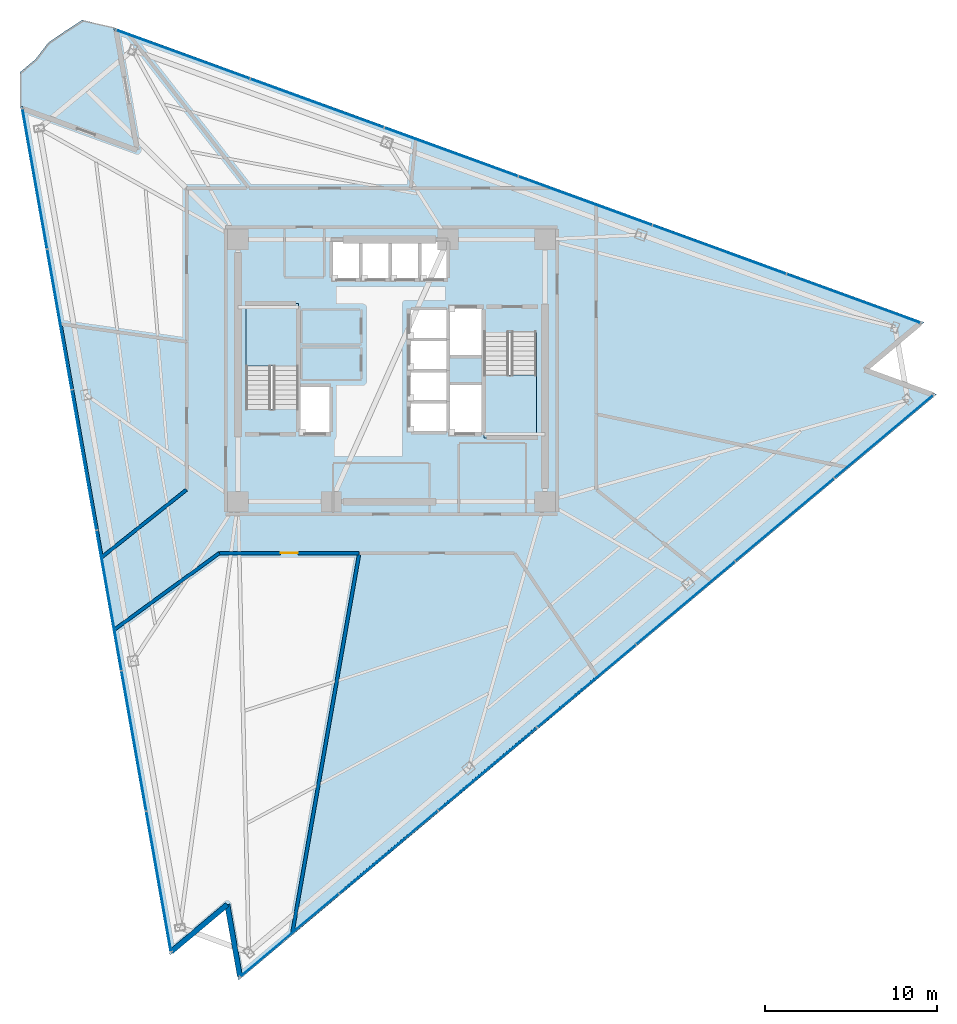
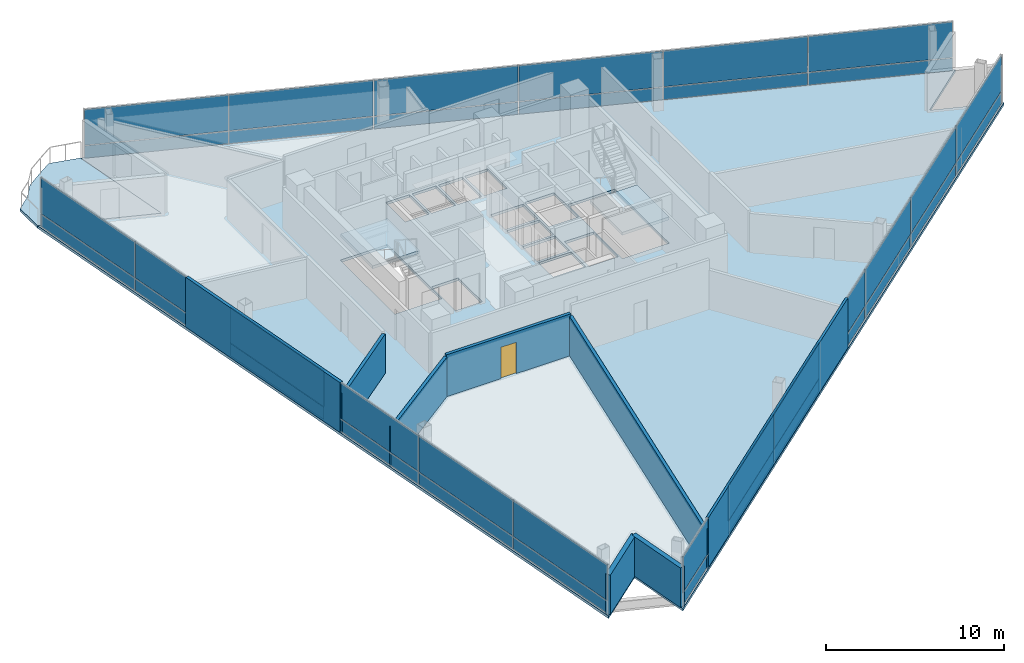
# One storey, part 9 of 16: 38 plates, 8 walls, 4 slabs, 1 door, 1 opening, 5 elements without a shape of their own.
"""IFC4 building model written with IfcOpenShell, lengths in metres."""

import ifcopenshell
import ifcopenshell.guid

model = None  # the IFC model being written
_history = None  # IfcOwnerHistory: only IFC2X3 demands one
_inside = {}  # id of a spatial element -> (the spatial element, [elements in it])
_under = {}  # id of a project, library or spatial element -> (it, [spatial elements below it])
_declared = {}  # id of a project -> (the project, [libraries it declares])
_typed = {}  # id of a type object -> (the type object, [elements of that type])
_made_of = {}  # id of a material, layer set ... -> (it, [elements and type objects made of it])


def new_model(schema):
    """Start an empty IFC model of exactly this schema.

    Asked for "IFC4X3", IfcOpenShell would pick the latest addendum, in which some entities
    have other attributes; the version numbers below select the first issue.
    IFC2X3 requires an IfcOwnerHistory on every rooted entity: one is made here for all.
    """
    global model, _history
    if schema == "IFC4X3":
        model = ifcopenshell.file(schema_version=(4, 3, 0, 0))
    else:
        model = ifcopenshell.file(schema=schema)
    _inside.clear()
    _under.clear()
    _declared.clear()
    _typed.clear()
    _made_of.clear()
    _history = None
    if model.schema == "IFC2X3":
        org = make("IfcOrganization", Name="unknown")
        user = make(
            "IfcPersonAndOrganization",
            ThePerson=make("IfcPerson", FamilyName="unknown"),
            TheOrganization=org,
        )
        app = make(
            "IfcApplication",
            ApplicationDeveloper=org,
            Version="unknown",
            ApplicationFullName="unknown",
            ApplicationIdentifier="unknown",
        )
        _history = make(
            "IfcOwnerHistory",
            OwningUser=user,
            OwningApplication=app,
            ChangeAction="ADDED",
            CreationDate=0,
        )
    return model


def make(cls, **values):
    """One entity of the class cls with the attributes given. An attribute that is None is left unset."""
    return model.create_entity(
        cls, **{name: value for name, value in values.items() if value is not None}
    )


def rooted(cls, **values):
    """An entity with a GlobalId (a new one), such as an element, a storey or a relation."""
    return make(cls, GlobalId=ifcopenshell.guid.new(), OwnerHistory=_history, **values)


def si_unit(unit_type, name, prefix=None):
    """IfcSIUnit, for example si_unit("LENGTHUNIT", "METRE", prefix="MILLI")."""
    return make("IfcSIUnit", UnitType=unit_type, Prefix=prefix, Name=name)


def assignment(units):
    """IfcUnitAssignment: the units of a project."""
    return None if units is None else make("IfcUnitAssignment", Units=units)


def point(xyz):
    """IfcCartesianPoint."""
    return None if xyz is None else make("IfcCartesianPoint", Coordinates=xyz)


def direction(xyz):
    """IfcDirection."""
    return None if xyz is None else make("IfcDirection", DirectionRatios=xyz)


def frame(location, z_axis=None, x_axis=None):
    """IfcAxis2Placement3D, a coordinate frame: its origin and axes. An axis left out is left unset."""
    return make(
        "IfcAxis2Placement3D",
        Location=point(location),
        Axis=direction(z_axis),
        RefDirection=direction(x_axis),
    )


def frame_2d(location, x_axis=None):
    """IfcAxis2Placement2D, a coordinate frame in the plane: its origin and x axis."""
    return make(
        "IfcAxis2Placement2D", Location=point(location), RefDirection=direction(x_axis)
    )


def origin():
    """The frame at (0, 0, 0) with its axes left unset."""
    return frame((0.0, 0.0, 0.0))


def origin_2d():
    """The frame at (0, 0) in the plane with its x axis left unset."""
    return frame_2d((0.0, 0.0))


def place(relative_to, where):
    """IfcLocalPlacement: puts the frame where relative to a parent placement (None: the world)."""
    return make(
        "IfcLocalPlacement", PlacementRelTo=relative_to, RelativePlacement=where
    )


def context(
    kind, dimensions, precision=None, world=None, true_north=None, identifier=None
):
    """IfcGeometricRepresentationContext, for example the 3D "Model" context."""
    return make(
        "IfcGeometricRepresentationContext",
        ContextIdentifier=identifier,
        ContextType=kind,
        CoordinateSpaceDimension=dimensions,
        Precision=precision,
        WorldCoordinateSystem=world,
        TrueNorth=true_north,
    )


def subcontext(parent, identifier, kind, view, scale=None):
    """IfcGeometricRepresentationSubContext, for example "Body" below "Model"."""
    return make(
        "IfcGeometricRepresentationSubContext",
        ContextIdentifier=identifier,
        ContextType=kind,
        ParentContext=parent,
        TargetScale=scale,
        TargetView=view,
    )


def project(units=None, contexts=None):
    """IfcProject with its units and contexts."""
    return rooted(
        "IfcProject",
        Name="project",
        RepresentationContexts=contexts,
        UnitsInContext=assignment(units),
    )


def spatial(cls, under=None, at=None, **own):
    """A site, building, storey or space (cls), placed at a placement, below another one or the project."""
    s = rooted(cls, ObjectPlacement=at, **own)
    if under is not None:
        _under.setdefault(under.id(), (under, []))[1].append(s)
    return s


def polyline(points):
    """IfcPolyline through the points."""
    return make("IfcPolyline", Points=[point(p) for p in points])


def profile(cls, at=None, kind="AREA", **sizes):
    """A parametric profile (cls). Its sizes go by their IFC names, for example OverallWidth=200.0."""
    return make(cls, ProfileType=kind, Position=at, **sizes)


def rectangle(**sizes):
    """IfcRectangleProfileDef."""
    return profile("IfcRectangleProfileDef", **sizes)


def outline(outer, holes=None, kind="AREA"):
    """IfcArbitraryClosedProfileDef: a profile drawn as a closed curve; with holes, ...WithVoids."""
    if holes is None:
        return make("IfcArbitraryClosedProfileDef", ProfileType=kind, OuterCurve=outer)
    return make(
        "IfcArbitraryProfileDefWithVoids",
        ProfileType=kind,
        OuterCurve=outer,
        InnerCurves=holes,
    )


def extrude(swept, where, along, depth):
    """IfcExtrudedAreaSolid: the profile swept, set in the frame where, extruded along a direction by depth."""
    return make(
        "IfcExtrudedAreaSolid",
        SweptArea=swept,
        Position=where,
        ExtrudedDirection=direction(along),
        Depth=depth,
    )


def shape(context_of_items, identifier, shape_type, items):
    """IfcShapeRepresentation: the items that make up one representation, for example the "Body"."""
    return make(
        "IfcShapeRepresentation",
        ContextOfItems=context_of_items,
        RepresentationIdentifier=identifier,
        RepresentationType=shape_type,
        Items=items,
    )


def material(Name=None, Category=None):
    """IfcMaterial."""
    return make("IfcMaterial", Name=Name, Category=Category)


def layer(
    of_material, thickness, ventilated=None, Name=None, Category=None, Priority=None
):
    """IfcMaterialLayer: one layer of a wall or slab, of a material (None: an air gap)."""
    return make(
        "IfcMaterialLayer",
        Material=of_material,
        LayerThickness=thickness,
        IsVentilated=ventilated,
        Name=Name,
        Category=Category,
        Priority=Priority,
    )


def layer_set(layers, Name=None):
    """IfcMaterialLayerSet."""
    return make("IfcMaterialLayerSet", MaterialLayers=layers, LayerSetName=Name)


def made_of(thing, what):
    """Note that an element or type object is made of a material, layer set ...; save() writes the relation."""
    if what is not None:
        _made_of.setdefault(what.id(), (what, []))[1].append(thing)
    return thing


def type_object(cls, material=None, **own):
    """A type object (cls), such as IfcWallType, which elements share."""
    return made_of(rooted(cls, **own), material)


def element(
    cls,
    number,
    at=None,
    inside=None,
    cuts=None,
    type_object=None,
    material=None,
    context=None,
    identifier="Body",
    shape_type=None,
    held_by="IfcProductDefinitionShape",
    body=None,
    shapes=None,
    **own,
):
    """One element of the class cls, such as IfcWall. Its Tag is "e" and its number.

    at: its placement. inside: the storey or other place that contains it. cuts: it is an
    opening in that element (IfcRelVoidsElement). A single representation is given by context,
    identifier, shape_type and body (its items); several are given by shapes. held_by: the class
    of the entity that holds the representations. save() writes the other relations.
    """
    e = rooted(cls, Tag="e%d" % number, ObjectPlacement=at, **own)
    if body is not None:
        shapes = [shape(context, identifier, shape_type, body)]
    if shapes is not None:
        e.Representation = make(held_by, Representations=shapes)
    if inside is not None:
        _inside.setdefault(inside.id(), (inside, []))[1].append(e)
    if cuts is not None:
        rooted(
            "IfcRelVoidsElement", RelatingBuildingElement=cuts, RelatedOpeningElement=e
        )
    if type_object is not None:
        _typed.setdefault(type_object.id(), (type_object, []))[1].append(e)
    return made_of(e, material)


def fill(opening, filler):
    """IfcRelFillsElement: the door or window that sits in an opening."""
    return rooted(
        "IfcRelFillsElement",
        RelatingOpeningElement=opening,
        RelatedBuildingElement=filler,
    )


def aggregate(whole, parts):
    """IfcRelAggregates: a whole, such as a stair, and the parts it consists of."""
    return rooted("IfcRelAggregates", RelatingObject=whole, RelatedObjects=parts)


def save(model, path):
    """Write the relations noted so far, then the file.

    IfcRelAggregates (storeys below a building ...), IfcRelContainedInSpatialStructure (elements
    in a storey), IfcRelDefinesByType, IfcRelAssociatesMaterial and IfcRelDeclares: one each for
    every whole, place, type object, material and project.
    """
    for whole, parts in _under.values():
        aggregate(whole, parts)
    for where, things in _inside.values():
        rooted(
            "IfcRelContainedInSpatialStructure",
            RelatedElements=things,
            RelatingStructure=where,
        )
    for kind, things in _typed.values():
        rooted("IfcRelDefinesByType", RelatedObjects=things, RelatingType=kind)
    for what, things in _made_of.values():
        rooted("IfcRelAssociatesMaterial", RelatedObjects=things, RelatingMaterial=what)
    for by, libraries in _declared.values():
        rooted("IfcRelDeclares", RelatingContext=by, RelatedDefinitions=libraries)
    model.write(path)


model = new_model("IFC4")

# Units and contexts
model_context = context("Model", 3, precision=1e-05, world=origin(), true_north=direction((0.0, 1.0)))
body_context = subcontext(model_context, "Body", "Model", "MODEL_VIEW")
ifc_project = project(units=[si_unit("LENGTHUNIT", "METRE"), si_unit("AREAUNIT", "SQUARE_METRE"), si_unit("VOLUMEUNIT", "CUBIC_METRE"), si_unit("PLANEANGLEUNIT", "RADIAN"), si_unit("MASSUNIT", "GRAM", prefix="KILO")], contexts=[model_context])

# Site, building, storey
site_placement = place(None, origin())
site = spatial("IfcSite", under=ifc_project, at=site_placement, CompositionType="ELEMENT")
building_placement = place(site_placement, origin())
building = spatial("IfcBuilding", under=site, at=building_placement, Name="Tharavind Bronze Gate", CompositionType="ELEMENT")
storey_placement = place(building_placement, frame((0.0, 0.0, 170.5)))
storey = spatial("IfcBuildingStorey", under=building, at=storey_placement, Name="L43", CompositionType="ELEMENT", Elevation=170.5)

# Curtain wall, plates
ifc_material_1 = material(Name="Anodised Bronze Aluminium", Category="aluminium")
ifc_layer_1 = layer(ifc_material_1, 0.219970703125)
ifc_layer_set_1 = layer_set([ifc_layer_1], Name="Anodised Bronze Aluminium")
curtain_wall_type = type_object("IfcCurtainWallType", Name="UNITISED CURTAIN WALL MID OFFICE", PredefinedType="USERDEFINED", material=ifc_layer_set_1)
curtain_wall_1_placement = place(storey_placement, origin())
curtain_wall_1 = element("IfcCurtainWall", 1, at=curtain_wall_1_placement, inside=storey, type_object=curtain_wall_type, Name="L43 unitised curtain wall mid office CW-L43-S1", ObjectType="UNITISED CURTAIN WALL", PredefinedType="USERDEFINED")
ifc_material_2 = material(Name="Patinated Bronze Alloy Sheet", Category="bronze")
ifc_layer_2 = layer(ifc_material_2, 0.01611328125)
ifc_layer_set_2 = layer_set([ifc_layer_2], Name="Patinated Bronze Alloy Sheet")
plate_type_1 = type_object("IfcPlateType", Name="BRONZE SPANDREL CLADDING PANEL 16", PredefinedType="CURTAIN_PANEL", material=ifc_layer_set_2)
plate_1_placement = place(storey_placement, frame((-20.678466796875, 11.118408203125, 0.0263671875), z_axis=(0.0, 0.0, 1.0), x_axis=(0.173648177667, -0.984807753012, 0.0)))
plate_1 = element("IfcPlate", 2, at=plate_1_placement, type_object=plate_type_1, Name="CW-L43-S1 bronze spandrel panel 1", PredefinedType="CURTAIN_PANEL", context=body_context, shape_type="SweptSolid", body=[
    extrude(rectangle(XDim=8.220458984375, YDim=0.01611328125, at=origin_2d()), origin(), (0.0, 0.0, 1.0), 0.846923828125),
])
plate_2_placement = place(storey_placement, frame((-19.24169921875, 2.970703125, 0.0263671875), z_axis=(0.0, 0.0, 1.0), x_axis=(0.173648177667, -0.984807753012, 0.0)))
plate_2 = element("IfcPlate", 3, at=plate_2_placement, type_object=plate_type_1, Name="CW-L43-S1 bronze spandrel panel 2", PredefinedType="CURTAIN_PANEL", context=body_context, shape_type="SweptSolid", body=[
    extrude(rectangle(XDim=8.220458984375, YDim=0.01611328125, at=origin_2d()), origin(), (0.0, 0.0, 1.0), 0.846923828125),
])
plate_3_placement = place(storey_placement, frame((-17.80517578125, -5.177001953125, 0.0263671875), z_axis=(0.0, 0.0, 1.0), x_axis=(0.173648177667, -0.984807753012, 0.0)))
plate_3 = element("IfcPlate", 4, at=plate_3_placement, type_object=plate_type_1, Name="CW-L43-S1 bronze spandrel panel 3", PredefinedType="CURTAIN_PANEL", context=body_context, shape_type="SweptSolid", body=[
    extrude(rectangle(XDim=8.220458984375, YDim=0.01611328125, at=origin_2d()), origin(), (0.0, 0.0, 1.0), 0.846923828125),
])
plate_4_placement = place(storey_placement, frame((-16.368408203125, -13.32470703125, 0.0263671875), z_axis=(0.0, 0.0, 1.0), x_axis=(0.173648177667, -0.984807753012, 0.0)))
plate_4 = element("IfcPlate", 5, at=plate_4_placement, type_object=plate_type_1, Name="CW-L43-S1 bronze spandrel panel 4", PredefinedType="CURTAIN_PANEL", context=body_context, shape_type="SweptSolid", body=[
    extrude(rectangle(XDim=8.220458984375, YDim=0.01611328125, at=origin_2d()), origin(), (0.0, 0.0, 1.0), 0.846923828125),
])
plate_5_placement = place(storey_placement, frame((-14.931884765625, -21.472412109375, 0.0263671875), z_axis=(0.0, 0.0, 1.0), x_axis=(0.173648177667, -0.984807753012, 0.0)))
plate_5 = element("IfcPlate", 6, at=plate_5_placement, type_object=plate_type_1, Name="CW-L43-S1 bronze spandrel panel 5", PredefinedType="CURTAIN_PANEL", context=body_context, shape_type="SweptSolid", body=[
    extrude(rectangle(XDim=8.220458984375, YDim=0.01611328125, at=origin_2d()), origin(), (0.0, 0.0, 1.0), 0.846923828125),
])
plate_6_placement = place(storey_placement, frame((-13.4951171875, -29.6201171875, 0.0263671875), z_axis=(0.0, 0.0, 1.0), x_axis=(0.173648177667, -0.984807753012, 0.0)))
plate_6 = element("IfcPlate", 7, at=plate_6_placement, type_object=plate_type_1, Name="CW-L43-S1 bronze spandrel panel 6", PredefinedType="CURTAIN_PANEL", context=body_context, shape_type="SweptSolid", body=[
    extrude(rectangle(XDim=8.220458984375, YDim=0.01611328125, at=origin_2d()), origin(), (0.0, 0.0, 1.0), 0.846923828125),
])

curtain_wall_2_placement = place(storey_placement, origin())
curtain_wall_2 = element("IfcCurtainWall", 8, at=curtain_wall_2_placement, inside=storey, type_object=curtain_wall_type, Name="L43 unitised curtain wall mid office CW-L43-S2", ObjectType="UNITISED CURTAIN WALL", PredefinedType="USERDEFINED")
plate_7_placement = place(storey_placement, frame((-5.913818359375, -32.737548828125, 0.0263671875), z_axis=(0.0, 0.0, 1.0), x_axis=(0.766043321242, 0.642788946685, 0.0)))
plate_7 = element("IfcPlate", 9, at=plate_7_placement, type_object=plate_type_1, Name="CW-L43-S2 bronze spandrel panel 1", PredefinedType="CURTAIN_PANEL", context=body_context, shape_type="SweptSolid", body=[
    extrude(rectangle(XDim=7.443115234375, YDim=0.01611328125, at=origin_2d()), origin(), (0.0, 0.0, 1.0), 0.846923828125),
])
plate_8_placement = place(storey_placement, frame((-0.171630859375, -27.919189453125, 0.0263671875), z_axis=(0.0, 0.0, 1.0), x_axis=(0.766043321242, 0.642788946685, 0.0)))
plate_8 = element("IfcPlate", 10, at=plate_8_placement, type_object=plate_type_1, Name="CW-L43-S2 bronze spandrel panel 2", PredefinedType="CURTAIN_PANEL", context=body_context, shape_type="SweptSolid", body=[
    extrude(rectangle(XDim=7.443115234375, YDim=0.01611328125, at=origin_2d()), origin(), (0.0, 0.0, 1.0), 0.846923828125),
])
plate_9_placement = place(storey_placement, frame((5.57080078125, -23.100830078125, 0.0263671875), z_axis=(0.0, 0.0, 1.0), x_axis=(0.766043321242, 0.642788946685, 0.0)))
plate_9 = element("IfcPlate", 11, at=plate_9_placement, type_object=plate_type_1, Name="CW-L43-S2 bronze spandrel panel 3", PredefinedType="CURTAIN_PANEL", context=body_context, shape_type="SweptSolid", body=[
    extrude(rectangle(XDim=7.443115234375, YDim=0.01611328125, at=origin_2d()), origin(), (0.0, 0.0, 1.0), 0.846923828125),
])
plate_10_placement = place(storey_placement, frame((11.31298828125, -18.282470703125, 0.0263671875), z_axis=(0.0, 0.0, 1.0), x_axis=(0.766043321242, 0.642788946685, 0.0)))
plate_10 = element("IfcPlate", 12, at=plate_10_placement, type_object=plate_type_1, Name="CW-L43-S2 bronze spandrel panel 4", PredefinedType="CURTAIN_PANEL", context=body_context, shape_type="SweptSolid", body=[
    extrude(rectangle(XDim=7.443115234375, YDim=0.01611328125, at=origin_2d()), origin(), (0.0, 0.0, 1.0), 0.846923828125),
])
plate_11_placement = place(storey_placement, frame((17.055419921875, -13.464111328125, 0.0263671875), z_axis=(0.0, 0.0, 1.0), x_axis=(0.766043321242, 0.642788946685, 0.0)))
plate_11 = element("IfcPlate", 13, at=plate_11_placement, type_object=plate_type_1, Name="CW-L43-S2 bronze spandrel panel 5", PredefinedType="CURTAIN_PANEL", context=body_context, shape_type="SweptSolid", body=[
    extrude(rectangle(XDim=7.443115234375, YDim=0.01611328125, at=origin_2d()), origin(), (0.0, 0.0, 1.0), 0.846923828125),
])
plate_12_placement = place(storey_placement, frame((22.797607421875, -8.645751953125, 0.0263671875), z_axis=(0.0, 0.0, 1.0), x_axis=(0.766043321242, 0.642788946685, 0.0)))
plate_12 = element("IfcPlate", 14, at=plate_12_placement, type_object=plate_type_1, Name="CW-L43-S2 bronze spandrel panel 6", PredefinedType="CURTAIN_PANEL", context=body_context, shape_type="SweptSolid", body=[
    extrude(rectangle(XDim=7.443115234375, YDim=0.01611328125, at=origin_2d()), origin(), (0.0, 0.0, 1.0), 0.846923828125),
])
plate_13_placement = place(storey_placement, frame((28.539794921875, -3.827392578125, 0.0263671875), z_axis=(0.0, 0.0, 1.0), x_axis=(0.766043321242, 0.642788946685, 0.0)))
plate_13 = element("IfcPlate", 15, at=plate_13_placement, type_object=plate_type_1, Name="CW-L43-S2 bronze spandrel panel 7", PredefinedType="CURTAIN_PANEL", context=body_context, shape_type="SweptSolid", body=[
    extrude(rectangle(XDim=7.443115234375, YDim=0.01611328125, at=origin_2d()), origin(), (0.0, 0.0, 1.0), 0.846923828125),
])

curtain_wall_3_placement = place(storey_placement, origin())
curtain_wall_3 = element("IfcCurtainWall", 16, at=curtain_wall_3_placement, inside=storey, type_object=curtain_wall_type, Name="L43 unitised curtain wall mid office CW-L43-S3", ObjectType="UNITISED CURTAIN WALL", PredefinedType="USERDEFINED")
plate_14_placement = place(storey_placement, frame((26.7861328125, 4.18017578125, 0.0263671875), z_axis=(0.0, 0.0, 1.0), x_axis=(-0.939692023847, 0.342021783398, 0.0)))
plate_14 = element("IfcPlate", 17, at=plate_14_placement, type_object=plate_type_1, Name="CW-L43-S3 bronze spandrel panel 1", PredefinedType="CURTAIN_PANEL", context=body_context, shape_type="SweptSolid", body=[
    extrude(rectangle(XDim=8.220458984375, YDim=0.01611328125, at=origin_2d()), origin(), (0.0, 0.0, 1.0), 0.846923828125),
])
plate_15_placement = place(storey_placement, frame((19.01171875, 7.009765625, 0.0263671875), z_axis=(0.0, 0.0, 1.0), x_axis=(-0.939692023847, 0.342021783398, 0.0)))
plate_15 = element("IfcPlate", 18, at=plate_15_placement, type_object=plate_type_1, Name="CW-L43-S3 bronze spandrel panel 2", PredefinedType="CURTAIN_PANEL", context=body_context, shape_type="SweptSolid", body=[
    extrude(rectangle(XDim=8.220458984375, YDim=0.01611328125, at=origin_2d()), origin(), (0.0, 0.0, 1.0), 0.846923828125),
])
plate_16_placement = place(storey_placement, frame((11.2373046875, 9.839599609375, 0.0263671875), z_axis=(0.0, 0.0, 1.0), x_axis=(-0.939692023847, 0.342021783398, 0.0)))
plate_16 = element("IfcPlate", 19, at=plate_16_placement, type_object=plate_type_1, Name="CW-L43-S3 bronze spandrel panel 3", PredefinedType="CURTAIN_PANEL", context=body_context, shape_type="SweptSolid", body=[
    extrude(rectangle(XDim=8.220458984375, YDim=0.01611328125, at=origin_2d()), origin(), (0.0, 0.0, 1.0), 0.846923828125),
])
plate_17_placement = place(storey_placement, frame((3.462890625, 12.669189453125, 0.0263671875), z_axis=(0.0, 0.0, 1.0), x_axis=(-0.939692023847, 0.342021783398, 0.0)))
plate_17 = element("IfcPlate", 20, at=plate_17_placement, type_object=plate_type_1, Name="CW-L43-S3 bronze spandrel panel 4", PredefinedType="CURTAIN_PANEL", context=body_context, shape_type="SweptSolid", body=[
    extrude(rectangle(XDim=8.220458984375, YDim=0.01611328125, at=origin_2d()), origin(), (0.0, 0.0, 1.0), 0.846923828125),
])
plate_18_placement = place(storey_placement, frame((-4.3115234375, 15.498779296875, 0.0263671875), z_axis=(0.0, 0.0, 1.0), x_axis=(-0.939692023847, 0.342021783398, 0.0)))
plate_18 = element("IfcPlate", 21, at=plate_18_placement, type_object=plate_type_1, Name="CW-L43-S3 bronze spandrel panel 5", PredefinedType="CURTAIN_PANEL", context=body_context, shape_type="SweptSolid", body=[
    extrude(rectangle(XDim=8.220458984375, YDim=0.01611328125, at=origin_2d()), origin(), (0.0, 0.0, 1.0), 0.846923828125),
])
plate_19_placement = place(storey_placement, frame((-12.0859375, 18.32861328125, 0.0263671875), z_axis=(0.0, 0.0, 1.0), x_axis=(-0.939692023847, 0.342021783398, 0.0)))
plate_19 = element("IfcPlate", 22, at=plate_19_placement, type_object=plate_type_1, Name="CW-L43-S3 bronze spandrel panel 6", PredefinedType="CURTAIN_PANEL", context=body_context, shape_type="SweptSolid", body=[
    extrude(rectangle(XDim=8.220458984375, YDim=0.01611328125, at=origin_2d()), origin(), (0.0, 0.0, 1.0), 0.846923828125),
])

# Slab
ifc_material_3 = material(Name="Concrete C40/50", Category="concrete")
ifc_layer_3 = layer(ifc_material_3, 0.179931640625)
ifc_layer_set_3 = layer_set([ifc_layer_3], Name="Concrete C40/50")
slab_type_1 = type_object("IfcSlabType", Name="EXTERIOR BALCONY SLAB 180", PredefinedType="FLOOR", material=ifc_layer_set_3)
slab_1_placement = place(storey_placement, frame((0.0, 0.0, -0.179931640625)))
element("IfcSlab", 23, at=slab_1_placement, inside=storey, type_object=slab_type_1, Name="L43 northeast tree balcony slab", PredefinedType="FLOOR", context=body_context, shape_type="SweptSolid", body=[
    extrude(outline(polyline([(-17.92333984375, 20.325927734375), (-18.92236328125, 19.680908203125), (-19.8984375, 19.00830078125), (-20.635009765625, 18.050537109375), (-21.5390625, 17.2919921875), (-21.525390625, 15.345458984375), (-14.872314453125, 12.924072265625), (-16.101806640625, 19.896484375), (-17.92333984375, 20.325927734375)])), origin(), (0.0, 0.0, 1.0), 0.179931640625),
])

# Stair, slab
stair_type = type_object("IfcStairType", Name="CORE HALF TURN STAIR 1450", PredefinedType="HALF_TURN_STAIR", material=ifc_material_3)
stair_1_placement = place(storey_placement, origin())
stair_1 = element("IfcStair", 24, at=stair_1_placement, inside=storey, type_object=stair_type, Name="L43 Protected Exit Stair ST1", PredefinedType="HALF_TURN_STAIR")
ifc_layer_4 = layer(ifc_material_3, 0.199951171875)
ifc_layer_set_4 = layer_set([ifc_layer_4], Name="Concrete C40/50")
slab_type_2 = type_object("IfcSlabType", Name="STAIR LANDING SLAB 200", PredefinedType="LANDING", material=ifc_layer_set_4)
slab_2_placement = place(storey_placement, frame((0.0, 0.0, 1.60009765625)))
slab_2 = element("IfcSlab", 25, at=slab_2_placement, type_object=slab_type_2, Name="ST1 landing 1", PredefinedType="LANDING", context=body_context, shape_type="SweptSolid", body=[
    extrude(outline(polyline([(-5.39990234375, 0.27001953125), (-5.39990234375, 3.89990234375), (-8.449951171875, 3.89990234375), (-8.449951171875, 0.27001953125), (-5.39990234375, 0.27001953125)])), origin(), (0.0, 0.0, 1.0), 0.199951171875),
])
aggregate(stair_1, [slab_2])

stair_2_placement = place(storey_placement, origin())
stair_2 = element("IfcStair", 26, at=stair_2_placement, inside=storey, type_object=stair_type, Name="L43 Protected Exit Stair ST2", PredefinedType="HALF_TURN_STAIR")
slab_3_placement = place(storey_placement, frame((0.0, 0.0, 1.60009765625)))
slab_3 = element("IfcSlab", 27, at=slab_3_placement, type_object=slab_type_2, Name="ST2 landing 1", PredefinedType="LANDING", context=body_context, shape_type="SweptSolid", body=[
    extrude(outline(polyline([(5.35009765625, -0.27001953125), (5.35009765625, -3.89990234375), (8.39990234375, -3.89990234375), (8.39990234375, -0.27001953125), (5.35009765625, -0.27001953125)])), origin(), (0.0, 0.0, 1.0), 0.199951171875),
])
aggregate(stair_2, [slab_3])

# Slab
ifc_layer_5 = layer(ifc_material_3, 0.179931640625)
ifc_layer_set_5 = layer_set([ifc_layer_5], Name="Concrete C40/50")
slab_type_3 = type_object("IfcSlabType", Name="STRUCTURAL FLOOR SLAB 180", PredefinedType="FLOOR", material=ifc_layer_set_5)
slab_4_placement = place(storey_placement, frame((0.0, 0.0, -0.179931640625)))
element("IfcSlab", 28, at=slab_4_placement, inside=storey, type_object=slab_type_3, Name="L43 main structural floor slab", PredefinedType="FLOOR", context=body_context, shape_type="SweptSolid", body=[
    extrude(outline(polyline([(-16.101806640625, 19.896484375), (-14.872314453125, 12.924072265625), (-21.525390625, 15.345458984375), (-12.84521484375, -33.881591796875), (-9.591064453125, -31.151123046875), (-8.853515625, -35.334716796875), (31.60791015625, -1.38330078125), (27.6162109375, 0.069580078125), (30.870361328125, 2.800048828125), (-16.101806640625, 19.896484375)]), holes=[polyline([(-5.39990234375, -2.215087890625), (-5.39990234375, 3.89990234375), (-8.449951171875, 3.89990234375), (-8.449951171875, -2.215087890625), (-5.39990234375, -2.215087890625)]), polyline([(5.35009765625, 2.215087890625), (5.35009765625, -3.89990234375), (8.39990234375, -3.89990234375), (8.39990234375, 2.215087890625), (5.35009765625, 2.215087890625)]), polyline([(-3.419921875, 5.330078125), (-1.867431640625, 5.330078125), (-1.867431640625, 7.52001953125), (-3.419921875, 7.52001953125), (-3.419921875, 5.330078125)]), polyline([(-1.70751953125, 5.330078125), (-0.155029296875, 5.330078125), (-0.155029296875, 7.52001953125), (-1.70751953125, 7.52001953125), (-1.70751953125, 5.330078125)]), polyline([(0.0048828125, 5.330078125), (1.5576171875, 5.330078125), (1.5576171875, 7.52001953125), (0.0048828125, 7.52001953125), (0.0048828125, 5.330078125)]), polyline([(1.717529296875, 5.330078125), (3.199951171875, 5.330078125), (3.199951171875, 7.52001953125), (1.717529296875, 7.52001953125), (1.717529296875, 5.330078125)]), polyline([(1.080078125, -3.52001953125), (3.199951171875, -3.52001953125), (3.199951171875, -1.8798828125), (1.080078125, -1.8798828125), (1.080078125, -3.52001953125)]), polyline([(1.080078125, -1.719970703125), (3.199951171875, -1.719970703125), (3.199951171875, -0.080078125), (1.080078125, -0.080078125), (1.080078125, -1.719970703125)]), polyline([(1.080078125, 0.080078125), (3.199951171875, 0.080078125), (3.199951171875, 1.719970703125), (1.080078125, 1.719970703125), (1.080078125, 0.080078125)]), polyline([(1.080078125, 1.8798828125), (3.199951171875, 1.8798828125), (3.199951171875, 3.52001953125), (1.080078125, 3.52001953125), (1.080078125, 1.8798828125)]), polyline([(-5.320068359375, -3.6201171875), (-3.580078125, -3.6201171875), (-3.580078125, -0.929931640625), (-5.320068359375, -0.929931640625), (-5.320068359375, -3.6201171875)]), polyline([(3.360107421875, 0.8798828125), (5.27001953125, 0.8798828125), (5.27001953125, 3.6201171875), (3.360107421875, 3.6201171875), (3.360107421875, 0.8798828125)]), polyline([(3.360107421875, -3.6201171875), (5.27001953125, -3.6201171875), (5.27001953125, -0.830078125), (3.360107421875, -0.830078125), (3.360107421875, -3.6201171875)])]), origin(), (0.0, 0.0, 1.0), 0.179931640625),
])

# Plate
ifc_material_4 = material(Name="Triple Solar Control Glazing", Category="glass")
ifc_layer_6 = layer(ifc_material_4, 0.0439453125)
ifc_layer_set_6 = layer_set([ifc_layer_6], Name="Triple Solar Control Glazing")
plate_type_2 = type_object("IfcPlateType", Name="TRIPLE GLAZED FACADE PANEL 44", PredefinedType="CURTAIN_PANEL", material=ifc_layer_set_6)
plate_20_placement = place(storey_placement, frame((-20.678466796875, 11.118408203125, 0.92626953125), z_axis=(0.0, 0.0, 1.0), x_axis=(0.173648177667, -0.984807753012, 0.0)))
plate_20 = element("IfcPlate", 29, at=plate_20_placement, type_object=plate_type_2, Name="CW-L43-S1 vision glazing panel 1", PredefinedType="CURTAIN_PANEL", context=body_context, shape_type="SweptSolid", body=[
    extrude(rectangle(XDim=8.220458984375, YDim=0.0439453125, at=origin_2d()), origin(), (0.0, 0.0, 1.0), 2.467041015625),
])

plate_21_placement = place(storey_placement, frame((-19.24169921875, 2.970703125, 0.92626953125), z_axis=(0.0, 0.0, 1.0), x_axis=(0.173648177667, -0.984807753012, 0.0)))
plate_21 = element("IfcPlate", 30, at=plate_21_placement, type_object=plate_type_2, Name="CW-L43-S1 vision glazing panel 2", PredefinedType="CURTAIN_PANEL", context=body_context, shape_type="SweptSolid", body=[
    extrude(rectangle(XDim=8.220458984375, YDim=0.0439453125, at=origin_2d()), origin(), (0.0, 0.0, 1.0), 2.467041015625),
])

plate_22_placement = place(storey_placement, frame((-17.80517578125, -5.177001953125, 0.92626953125), z_axis=(0.0, 0.0, 1.0), x_axis=(0.173648177667, -0.984807753012, 0.0)))
plate_22 = element("IfcPlate", 31, at=plate_22_placement, type_object=plate_type_2, Name="CW-L43-S1 vision glazing panel 3", PredefinedType="CURTAIN_PANEL", context=body_context, shape_type="SweptSolid", body=[
    extrude(rectangle(XDim=8.220458984375, YDim=0.0439453125, at=origin_2d()), origin(), (0.0, 0.0, 1.0), 2.467041015625),
])

plate_23_placement = place(storey_placement, frame((-16.368408203125, -13.32470703125, 0.92626953125), z_axis=(0.0, 0.0, 1.0), x_axis=(0.173648177667, -0.984807753012, 0.0)))
plate_23 = element("IfcPlate", 32, at=plate_23_placement, type_object=plate_type_2, Name="CW-L43-S1 vision glazing panel 4", PredefinedType="CURTAIN_PANEL", context=body_context, shape_type="SweptSolid", body=[
    extrude(rectangle(XDim=8.220458984375, YDim=0.0439453125, at=origin_2d()), origin(), (0.0, 0.0, 1.0), 2.467041015625),
])

plate_24_placement = place(storey_placement, frame((-14.931884765625, -21.472412109375, 0.92626953125), z_axis=(0.0, 0.0, 1.0), x_axis=(0.173648177667, -0.984807753012, 0.0)))
plate_24 = element("IfcPlate", 33, at=plate_24_placement, type_object=plate_type_2, Name="CW-L43-S1 vision glazing panel 5", PredefinedType="CURTAIN_PANEL", context=body_context, shape_type="SweptSolid", body=[
    extrude(rectangle(XDim=8.220458984375, YDim=0.0439453125, at=origin_2d()), origin(), (0.0, 0.0, 1.0), 2.467041015625),
])

plate_25_placement = place(storey_placement, frame((-13.4951171875, -29.6201171875, 0.92626953125), z_axis=(0.0, 0.0, 1.0), x_axis=(0.173648177667, -0.984807753012, 0.0)))
plate_25 = element("IfcPlate", 34, at=plate_25_placement, type_object=plate_type_2, Name="CW-L43-S1 vision glazing panel 6", PredefinedType="CURTAIN_PANEL", context=body_context, shape_type="SweptSolid", body=[
    extrude(rectangle(XDim=8.220458984375, YDim=0.0439453125, at=origin_2d()), origin(), (0.0, 0.0, 1.0), 2.467041015625),
])

aggregate(curtain_wall_1, [plate_1, plate_20, plate_2, plate_21, plate_3, plate_22, plate_4, plate_23, plate_5, plate_24, plate_6, plate_25])

plate_26_placement = place(storey_placement, frame((-5.913818359375, -32.737548828125, 0.92626953125), z_axis=(0.0, 0.0, 1.0), x_axis=(0.766043321242, 0.642788946685, 0.0)))
plate_26 = element("IfcPlate", 35, at=plate_26_placement, type_object=plate_type_2, Name="CW-L43-S2 vision glazing panel 1", PredefinedType="CURTAIN_PANEL", context=body_context, shape_type="SweptSolid", body=[
    extrude(rectangle(XDim=7.443115234375, YDim=0.0439453125, at=origin_2d()), origin(), (0.0, 0.0, 1.0), 2.467041015625),
])

plate_27_placement = place(storey_placement, frame((-0.171630859375, -27.919189453125, 0.92626953125), z_axis=(0.0, 0.0, 1.0), x_axis=(0.766043321242, 0.642788946685, 0.0)))
plate_27 = element("IfcPlate", 36, at=plate_27_placement, type_object=plate_type_2, Name="CW-L43-S2 vision glazing panel 2", PredefinedType="CURTAIN_PANEL", context=body_context, shape_type="SweptSolid", body=[
    extrude(rectangle(XDim=7.443115234375, YDim=0.0439453125, at=origin_2d()), origin(), (0.0, 0.0, 1.0), 2.467041015625),
])

plate_28_placement = place(storey_placement, frame((5.57080078125, -23.100830078125, 0.92626953125), z_axis=(0.0, 0.0, 1.0), x_axis=(0.766043321242, 0.642788946685, 0.0)))
plate_28 = element("IfcPlate", 37, at=plate_28_placement, type_object=plate_type_2, Name="CW-L43-S2 vision glazing panel 3", PredefinedType="CURTAIN_PANEL", context=body_context, shape_type="SweptSolid", body=[
    extrude(rectangle(XDim=7.443115234375, YDim=0.0439453125, at=origin_2d()), origin(), (0.0, 0.0, 1.0), 2.467041015625),
])

plate_29_placement = place(storey_placement, frame((11.31298828125, -18.282470703125, 0.92626953125), z_axis=(0.0, 0.0, 1.0), x_axis=(0.766043321242, 0.642788946685, 0.0)))
plate_29 = element("IfcPlate", 38, at=plate_29_placement, type_object=plate_type_2, Name="CW-L43-S2 vision glazing panel 4", PredefinedType="CURTAIN_PANEL", context=body_context, shape_type="SweptSolid", body=[
    extrude(rectangle(XDim=7.443115234375, YDim=0.0439453125, at=origin_2d()), origin(), (0.0, 0.0, 1.0), 2.467041015625),
])

plate_30_placement = place(storey_placement, frame((17.055419921875, -13.464111328125, 0.92626953125), z_axis=(0.0, 0.0, 1.0), x_axis=(0.766043321242, 0.642788946685, 0.0)))
plate_30 = element("IfcPlate", 39, at=plate_30_placement, type_object=plate_type_2, Name="CW-L43-S2 vision glazing panel 5", PredefinedType="CURTAIN_PANEL", context=body_context, shape_type="SweptSolid", body=[
    extrude(rectangle(XDim=7.443115234375, YDim=0.0439453125, at=origin_2d()), origin(), (0.0, 0.0, 1.0), 2.467041015625),
])

plate_31_placement = place(storey_placement, frame((22.797607421875, -8.645751953125, 0.92626953125), z_axis=(0.0, 0.0, 1.0), x_axis=(0.766043321242, 0.642788946685, 0.0)))
plate_31 = element("IfcPlate", 40, at=plate_31_placement, type_object=plate_type_2, Name="CW-L43-S2 vision glazing panel 6", PredefinedType="CURTAIN_PANEL", context=body_context, shape_type="SweptSolid", body=[
    extrude(rectangle(XDim=7.443115234375, YDim=0.0439453125, at=origin_2d()), origin(), (0.0, 0.0, 1.0), 2.467041015625),
])

plate_32_placement = place(storey_placement, frame((28.539794921875, -3.827392578125, 0.92626953125), z_axis=(0.0, 0.0, 1.0), x_axis=(0.766043321242, 0.642788946685, 0.0)))
plate_32 = element("IfcPlate", 41, at=plate_32_placement, type_object=plate_type_2, Name="CW-L43-S2 vision glazing panel 7", PredefinedType="CURTAIN_PANEL", context=body_context, shape_type="SweptSolid", body=[
    extrude(rectangle(XDim=7.443115234375, YDim=0.0439453125, at=origin_2d()), origin(), (0.0, 0.0, 1.0), 2.467041015625),
])

aggregate(curtain_wall_2, [plate_7, plate_26, plate_8, plate_27, plate_9, plate_28, plate_10, plate_29, plate_11, plate_30, plate_12, plate_31, plate_13, plate_32])

plate_33_placement = place(storey_placement, frame((26.7861328125, 4.18017578125, 0.92626953125), z_axis=(0.0, 0.0, 1.0), x_axis=(-0.939692023847, 0.342021783398, 0.0)))
plate_33 = element("IfcPlate", 42, at=plate_33_placement, type_object=plate_type_2, Name="CW-L43-S3 vision glazing panel 1", PredefinedType="CURTAIN_PANEL", context=body_context, shape_type="SweptSolid", body=[
    extrude(rectangle(XDim=8.220458984375, YDim=0.0439453125, at=origin_2d()), origin(), (0.0, 0.0, 1.0), 2.467041015625),
])

plate_34_placement = place(storey_placement, frame((19.01171875, 7.009765625, 0.92626953125), z_axis=(0.0, 0.0, 1.0), x_axis=(-0.939692023847, 0.342021783398, 0.0)))
plate_34 = element("IfcPlate", 43, at=plate_34_placement, type_object=plate_type_2, Name="CW-L43-S3 vision glazing panel 2", PredefinedType="CURTAIN_PANEL", context=body_context, shape_type="SweptSolid", body=[
    extrude(rectangle(XDim=8.220458984375, YDim=0.0439453125, at=origin_2d()), origin(), (0.0, 0.0, 1.0), 2.467041015625),
])

plate_35_placement = place(storey_placement, frame((11.2373046875, 9.839599609375, 0.92626953125), z_axis=(0.0, 0.0, 1.0), x_axis=(-0.939692023847, 0.342021783398, 0.0)))
plate_35 = element("IfcPlate", 44, at=plate_35_placement, type_object=plate_type_2, Name="CW-L43-S3 vision glazing panel 3", PredefinedType="CURTAIN_PANEL", context=body_context, shape_type="SweptSolid", body=[
    extrude(rectangle(XDim=8.220458984375, YDim=0.0439453125, at=origin_2d()), origin(), (0.0, 0.0, 1.0), 2.467041015625),
])

plate_36_placement = place(storey_placement, frame((3.462890625, 12.669189453125, 0.92626953125), z_axis=(0.0, 0.0, 1.0), x_axis=(-0.939692023847, 0.342021783398, 0.0)))
plate_36 = element("IfcPlate", 45, at=plate_36_placement, type_object=plate_type_2, Name="CW-L43-S3 vision glazing panel 4", PredefinedType="CURTAIN_PANEL", context=body_context, shape_type="SweptSolid", body=[
    extrude(rectangle(XDim=8.220458984375, YDim=0.0439453125, at=origin_2d()), origin(), (0.0, 0.0, 1.0), 2.467041015625),
])

plate_37_placement = place(storey_placement, frame((-4.3115234375, 15.498779296875, 0.92626953125), z_axis=(0.0, 0.0, 1.0), x_axis=(-0.939692023847, 0.342021783398, 0.0)))
plate_37 = element("IfcPlate", 46, at=plate_37_placement, type_object=plate_type_2, Name="CW-L43-S3 vision glazing panel 5", PredefinedType="CURTAIN_PANEL", context=body_context, shape_type="SweptSolid", body=[
    extrude(rectangle(XDim=8.220458984375, YDim=0.0439453125, at=origin_2d()), origin(), (0.0, 0.0, 1.0), 2.467041015625),
])

plate_38_placement = place(storey_placement, frame((-12.0859375, 18.32861328125, 0.92626953125), z_axis=(0.0, 0.0, 1.0), x_axis=(-0.939692023847, 0.342021783398, 0.0)))
plate_38 = element("IfcPlate", 47, at=plate_38_placement, type_object=plate_type_2, Name="CW-L43-S3 vision glazing panel 6", PredefinedType="CURTAIN_PANEL", context=body_context, shape_type="SweptSolid", body=[
    extrude(rectangle(XDim=8.220458984375, YDim=0.0439453125, at=origin_2d()), origin(), (0.0, 0.0, 1.0), 2.467041015625),
])

aggregate(curtain_wall_3, [plate_14, plate_33, plate_15, plate_34, plate_16, plate_35, plate_17, plate_36, plate_18, plate_37, plate_19, plate_38])

# Walls
ifc_layer_7 = layer(ifc_material_3, 0.300048828125)
ifc_layer_set_7 = layer_set([ifc_layer_7], Name="Concrete C40/50")
wall_type_1 = type_object("IfcWallType", Name="EXTERIOR SPANDREL WALL 300", PredefinedType="STANDARD", material=ifc_layer_set_7)
for number, where, z_axis, x_axis, name in (
    (48, (-12.77685546875, -33.69384765625, 0.0), (0.0, 0.0, 1.0), (0.766026302848, 0.6428092278, 0.0), "L43 notch cheek wall 2A"),
    (49, (-9.522705078125, -30.963134765625, 0.0), (0.0, 0.0, 1.0), (0.173673864443, -0.984803223395, 0.0), "L43 notch cheek wall 2B"),
):
    element("IfcWall", number, at=place(storey_placement, frame(where, z_axis=z_axis, x_axis=x_axis)), inside=storey, type_object=wall_type_1, Name=name, PredefinedType="STANDARD", context=body_context, shape_type="SweptSolid", body=[
        extrude(rectangle(XDim=4.248046875, YDim=0.300048828125, at=frame_2d((2.1240234375, 0.0))), origin(), (0.0, 0.0, 1.0), 2.715087890625),
    ])
ifc_material_5 = material(Name="Aerated Concrete Block", Category="concrete")
ifc_layer_8 = layer(ifc_material_5, 0.199951171875)
ifc_layer_set_8 = layer_set([ifc_layer_8], Name="Aerated Concrete Block")
wall_type_2 = type_object("IfcWallType", Name="FIRE RATED PARTITION 200", PredefinedType="PARTITIONING", material=ifc_layer_set_8)
wall_1_placement = place(storey_placement, frame((-11.889404296875, -6.910888671875, 0.0), z_axis=(0.0, 0.0, 1.0), x_axis=(-0.782381746657, -0.622799167066, 0.0)))
element("IfcWall", 50, at=wall_1_placement, inside=storey, type_object=wall_type_2, Name="L43 Public Restrooms Block partition", PredefinedType="PARTITIONING", context=body_context, shape_type="SweptSolid", body=[
    extrude(rectangle(XDim=6.287841796875, YDim=0.199951171875, at=frame_2d((3.14404296875, 0.0))), origin(), (0.0, 0.0, 1.0), 2.715087890625),
])
wall_2_placement = place(storey_placement, frame((-16.82958984375, -10.709228515625, 0.0), z_axis=(0.0, 0.0, 1.0), x_axis=(-0.173641964803, 0.984808848487, 0.0)))
element("IfcWall", 51, at=wall_2_placement, inside=storey, type_object=wall_type_2, Name="L43 Public Restrooms Block partition", PredefinedType="PARTITIONING", context=body_context, shape_type="SweptSolid", body=[
    extrude(rectangle(XDim=13.503173828125, YDim=0.199951171875, at=frame_2d((6.75146484375, 0.0))), origin(), (0.0, 0.0, 1.0), 3.419921875),
])
wall_3_placement = place(storey_placement, frame((-5.747802734375, -32.598388671875, 0.0), z_axis=(0.0, 0.0, 1.0), x_axis=(0.17364192413, 0.984808855659, 0.0)))
element("IfcWall", 52, at=wall_3_placement, inside=storey, type_object=wall_type_2, Name="L43 Public Restrooms Block partition", PredefinedType="PARTITIONING", context=body_context, shape_type="SweptSolid", body=[
    extrude(rectangle(XDim=22.337158203125, YDim=0.199951171875, at=frame_2d((11.16845703125, 0.0))), origin(), (0.0, 0.0, 1.0), 2.715087890625),
])
wall_4_placement = place(storey_placement, frame((-16.06884765625, -15.023681640625, 0.0), z_axis=(0.0, 0.0, 1.0), x_axis=(0.807835167635, 0.589408467815, 0.0)))
element("IfcWall", 53, at=wall_4_placement, inside=storey, type_object=wall_type_2, Name="L43 Portfolio Trading Office partition", PredefinedType="PARTITIONING", context=body_context, shape_type="SweptSolid", body=[
    extrude(rectangle(XDim=7.53125, YDim=0.199951171875, at=frame_2d((3.765625, 0.0))), origin(), (0.0, 0.0, 1.0), 2.715087890625),
])

# Wall, opening, door
wall_5_placement = place(storey_placement, frame((-9.969970703125, -10.580078125, 0.0), z_axis=(0.0, 0.0, 1.0), x_axis=(1.0, 0.0, 0.0)))
wall_5 = element("IfcWall", 54, at=wall_5_placement, inside=storey, type_object=wall_type_2, Name="L43 Portfolio Trading Office partition", PredefinedType="PARTITIONING", context=body_context, shape_type="SweptSolid", body=[
    extrude(rectangle(XDim=8.07470703125, YDim=0.199951171875, at=frame_2d((4.037353515625, 0.0))), origin(), (0.0, 0.0, 1.0), 2.864990234375),
])
opening_placement = place(wall_5_placement, frame((3.537109375, 0.0, 0.0)))
opening = element("IfcOpeningElement", 55, at=opening_placement, cuts=wall_5, Name="Opening ID04", PredefinedType="OPENING", context=body_context, shape_type="SweptSolid", body=[
    extrude(rectangle(XDim=1.0, YDim=2.14990234375, at=frame_2d((0.5, 1.074951171875))), frame((0.0, 0.11009765625, 0.0), z_axis=(0.0, -1.0, 0.0), x_axis=(1.0, 0.0, 0.0)), (0.0, 0.0, 1.0), 0.219951171875),
])
ifc_material_6 = material(Name="Bronze Framed Acoustic Timber", Category="wood")
door_type = type_object("IfcDoorType", Name="OFFICE TENANCY DOOR 1000X2150", OperationType="SINGLE_SWING_RIGHT", PredefinedType="DOOR", material=ifc_material_6)
door_placement = place(opening_placement, origin())
door = element("IfcDoor", 56, at=door_placement, inside=storey, type_object=door_type, Name="L43 Portfolio Trading Office door", OperationType="SINGLE_SWING_RIGHT", OverallHeight=2.14990234375, OverallWidth=1.0, PredefinedType="DOOR", context=body_context, shape_type="SweptSolid", body=[
    extrude(rectangle(XDim=1.0, YDim=2.14990234375, at=frame_2d((0.5, 1.074951171875))), frame((0.0, 0.02490234375, 0.0), z_axis=(0.0, -1.0, 0.0), x_axis=(1.0, 0.0, 0.0)), (0.0, 0.0, 1.0), 0.050048828125),
])
fill(opening, door)

# Wall
ifc_material_7 = material(Name="Twin Stud Acoustic Gypsum", Category="gypsum")
ifc_layer_9 = layer(ifc_material_7, 0.14990234375)
ifc_layer_set_9 = layer_set([ifc_layer_9], Name="Twin Stud Acoustic Gypsum")
wall_type_3 = type_object("IfcWallType", Name="INTERIOR PARTITION WALL 150", PredefinedType="PARTITIONING", material=ifc_layer_set_9)
wall_6_placement = place(storey_placement, frame((11.9462890625, -17.751220703125, 0.0), z_axis=(0.0, 0.0, 1.0), x_axis=(-0.76604510754, -0.64278681786, 0.0)))
element("IfcWall", 57, at=wall_6_placement, inside=storey, type_object=wall_type_3, Name="L43 Public Restrooms Block partition", PredefinedType="PARTITIONING", context=body_context, shape_type="SweptSolid", body=[
    extrude(rectangle(XDim=22.934814453125, YDim=0.14990234375, at=frame_2d((11.46728515625, 0.0))), origin(), (0.0, 0.0, 1.0), 3.419921875),
])

save(model, "model.ifc")
